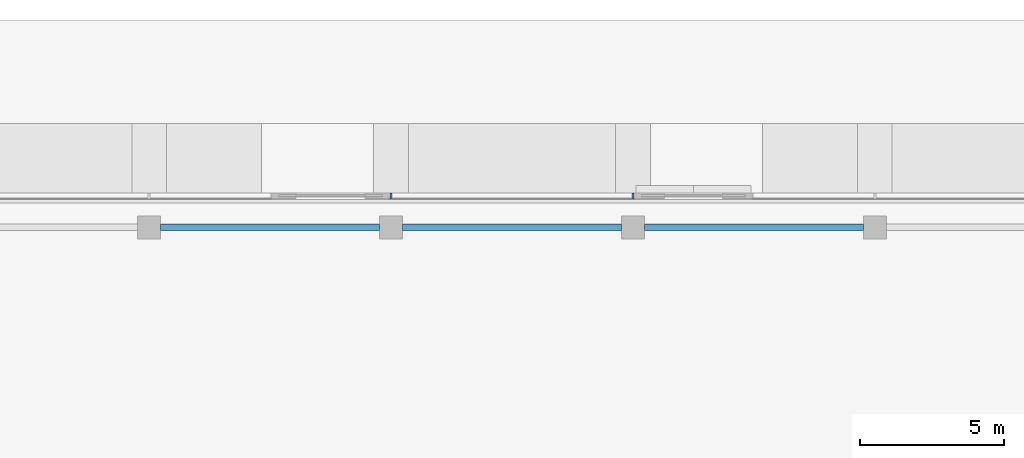
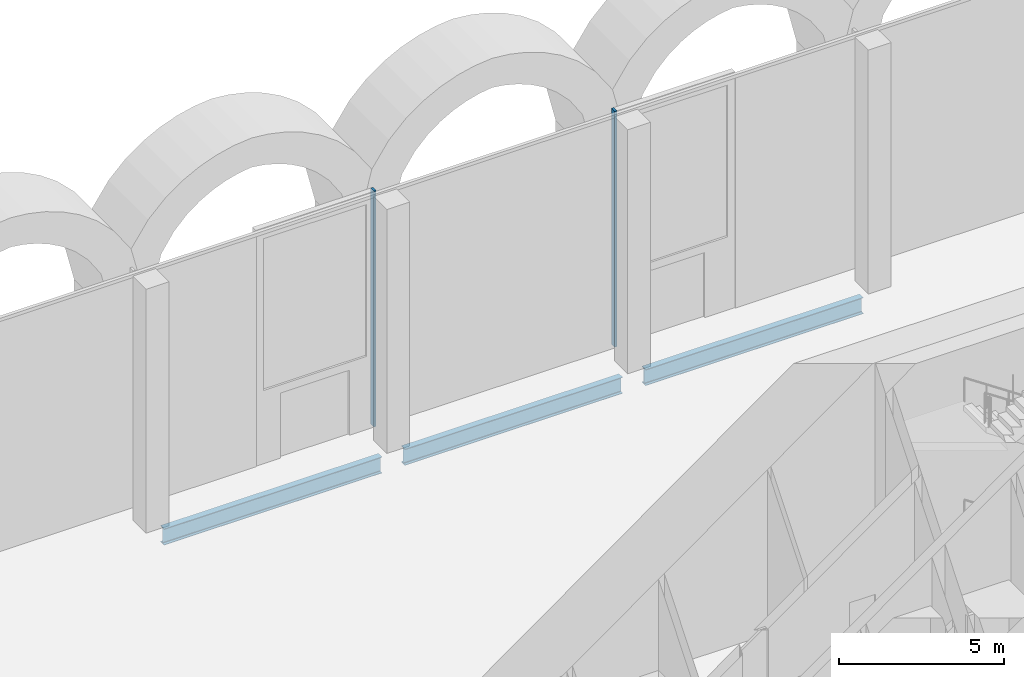
# One storey, part 13 of 43: 3 beams, 2 members, 1 element without a shape of its own.
"""IFC4 building model written with IfcOpenShell, lengths in metres."""

from ifc_helpers import new_model, si_unit, direction, frame, origin, origin_2d, place, context, subcontext, project, spatial, rectangle, i_section, extrude, material, material_profile, profile_set, type_object, element, aggregate, save


model = new_model("IFC4")

# Units and contexts
model_context = context("Model", 3, precision=1e-05, world=origin(), true_north=direction((0.0, 1.0)))
body_context = subcontext(model_context, "Body", "Model", "MODEL_VIEW")
ifc_project = project(units=[si_unit("LENGTHUNIT", "METRE"), si_unit("AREAUNIT", "SQUARE_METRE"), si_unit("VOLUMEUNIT", "CUBIC_METRE"), si_unit("PLANEANGLEUNIT", "RADIAN"), si_unit("MASSUNIT", "GRAM", prefix="KILO")], contexts=[model_context])

# Site, building, storey
site_placement = place(None, origin())
site = spatial("IfcSite", under=ifc_project, at=site_placement, CompositionType="ELEMENT")
building_placement = place(site_placement, origin())
building = spatial("IfcBuilding", under=site, at=building_placement, Name="Saffron Gate Tower", CompositionType="ELEMENT")
storey_placement = place(building_placement, origin())
storey = spatial("IfcBuildingStorey", under=building, at=storey_placement, Name="L00", CompositionType="ELEMENT", Elevation=0.0)

# Beams
ifc_material_1 = material(Name="Structural steel S355", Category="steel")
ifc_material_profile_1 = material_profile(ifc_material_1, i_section(OverallWidth=0.219970703125, OverallDepth=0.60009765625, WebThickness=0.011962890625, FlangeThickness=0.01904296875, FilletRadius=0.02392578125, at=origin_2d()))
ifc_profile_set_1 = profile_set([ifc_material_profile_1], Name="Structural steel S355")
beam_type = type_object("IfcBeamType", Name="B15 IPE 600", PredefinedType="BEAM", material=ifc_profile_set_1)
for number, where, z_axis, x_axis, name in (
    (1, (67.0, 88.800048828125, -0.60009765625), (1.0, 0.0, 0.0), (0.0, 1.0, 0.0), "B15 PODIUM EDGE BEAM"),
    (2, (75.39990234375, 88.800048828125, -0.60009765625), (1.0, 0.0, 0.0), (0.0, 1.0, 0.0), "B15 PODIUM EDGE BEAM"),
):
    element("IfcBeam", number, at=place(storey_placement, frame(where, z_axis=z_axis, x_axis=x_axis)), inside=storey, type_object=beam_type, Name=name, PredefinedType="BEAM", context=body_context, shape_type="SweptSolid", body=[
        extrude(i_section(OverallWidth=0.219970703125, OverallDepth=0.60009765625, WebThickness=0.011962890625, FlangeThickness=0.01904296875, FilletRadius=0.02392578125, at=origin_2d()), origin(), (0.0, 0.0, 1.0), 7.60009765625),
    ])
beam_placement = place(storey_placement, frame((83.800048828125, 88.800048828125, -0.60009765625), z_axis=(1.0, 0.0, 0.0), x_axis=(0.0, 1.0, 0.0)))
element("IfcBeam", 3, at=beam_placement, inside=storey, type_object=beam_type, Name="B15 PODIUM EDGE BEAM", PredefinedType="BEAM", context=body_context, shape_type="SweptSolid", body=[
    extrude(i_section(OverallWidth=0.219970703125, OverallDepth=0.60009765625, WebThickness=0.011962890625, FlangeThickness=0.01904296875, FilletRadius=0.02392578125, at=origin_2d()), origin(), (0.0, 0.0, 1.0), 7.599853515625),
])

# Curtain wall, members
ifc_material_2 = material(Name="Aluminium, bronze anodised", Category="aluminium")
curtain_wall_type = type_object("IfcCurtainWallType", Name="CWS5 curtain wall podium ring base", PredefinedType="NOTDEFINED", material=ifc_material_2)
curtain_wall_placement = place(storey_placement, origin())
curtain_wall = element("IfcCurtainWall", 4, at=curtain_wall_placement, inside=storey, type_object=curtain_wall_type, Name="CWS5 run 3", PredefinedType="NOTDEFINED")
ifc_material_profile_2 = material_profile(ifc_material_2, rectangle(XDim=0.199951171875, YDim=0.080078125, at=origin_2d()))
ifc_profile_set_2 = profile_set([ifc_material_profile_2], Name="Aluminium, bronze anodised")
member_type = type_object("IfcMemberType", Name="CWS5 mullion 80x200", PredefinedType="MULLION", material=ifc_profile_set_2)
member_1_placement = place(storey_placement, frame((83.39990234375, 89.89990234375, 0.0), z_axis=(0.0, 0.0, 1.0), x_axis=(0.0, -1.0, 0.0)))
member_1 = element("IfcMember", 5, at=member_1_placement, type_object=member_type, Name="CWS5 mullion 9", PredefinedType="MULLION", context=body_context, shape_type="SweptSolid", body=[
    extrude(rectangle(XDim=0.199951171875, YDim=0.080078125, at=origin_2d()), origin(), (0.0, 0.0, 1.0), 8.699951171875),
])
member_2_placement = place(storey_placement, frame((75.0, 89.89990234375, 0.0), z_axis=(0.0, 0.0, 1.0), x_axis=(0.0, -1.0, 0.0)))
member_2 = element("IfcMember", 6, at=member_2_placement, type_object=member_type, Name="CWS5 mullion 10", PredefinedType="MULLION", context=body_context, shape_type="SweptSolid", body=[
    extrude(rectangle(XDim=0.199951171875, YDim=0.080078125, at=origin_2d()), origin(), (0.0, 0.0, 1.0), 8.699951171875),
])
aggregate(curtain_wall, [member_1, member_2])

save(model, "model.ifc")
